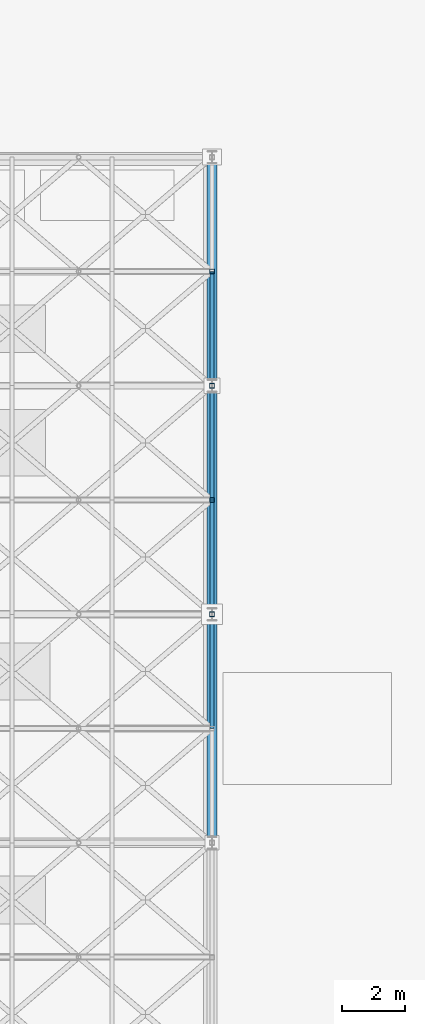
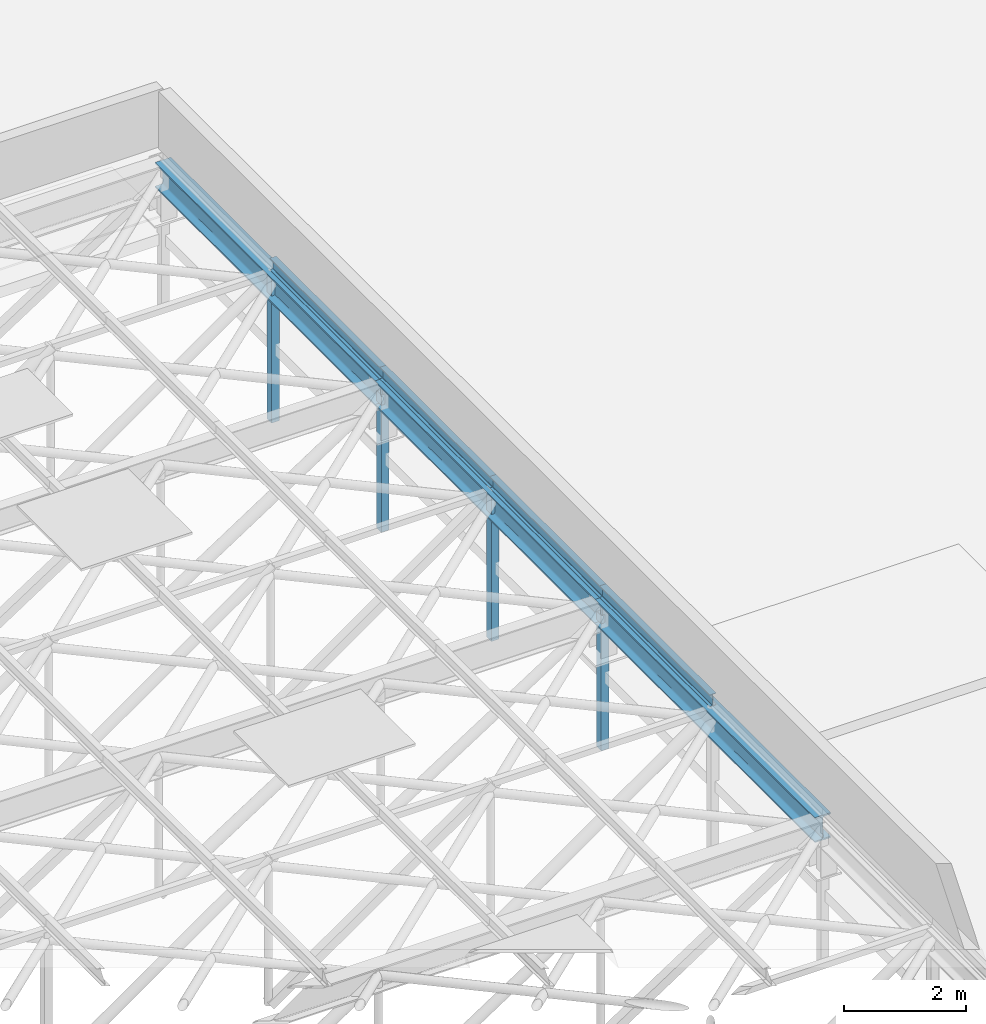
# One storey, part 27 of 45: 8 members, 3 beams.
"""IFC4 building model written with IfcOpenShell, lengths in metres."""

from ifc_helpers import new_model, si_unit, derived_unit, direction, frame, origin, origin_2d, place, context, subcontext, project, spatial, hollow_rectangle, i_section, extrude, material, material_profile, profile_set, type_object, element, save


model = new_model("IFC4")

# Units and contexts
model_context = context("Model", 3, precision=1e-05, world=origin(), true_north=direction((0.0, 1.0)))
body_context = subcontext(model_context, "Body", "Model", "MODEL_VIEW")
ifc_project = project(units=[si_unit("LENGTHUNIT", "METRE"), si_unit("AREAUNIT", "SQUARE_METRE"), si_unit("VOLUMEUNIT", "CUBIC_METRE"), si_unit("PLANEANGLEUNIT", "RADIAN"), si_unit("MASSUNIT", "GRAM", prefix="KILO"), derived_unit("THERMALTRANSMITTANCEUNIT", [(si_unit("MASSUNIT", "GRAM", prefix="KILO"), 1), (si_unit("TIMEUNIT", "SECOND"), -3), (si_unit("THERMODYNAMICTEMPERATUREUNIT", "KELVIN"), -1)])], contexts=[model_context])

# Site, building, storey
site_placement = place(None, origin())
site = spatial("IfcSite", under=ifc_project, at=site_placement, CompositionType="ELEMENT")
building_placement = place(site_placement, origin())
building = spatial("IfcBuilding", under=site, at=building_placement, Name="Veldstrom Oceanarium and Marine Research Institute", CompositionType="ELEMENT")
storey_placement = place(building_placement, frame((0.0, 0.0, 22.199951171875)))
storey = spatial("IfcBuildingStorey", under=building, at=storey_placement, Name="L04", CompositionType="ELEMENT", Elevation=22.199951171875)

# Beams
ifc_material_1 = material(Name="Steel S355JR", Category="steel")
ifc_material_profile_1 = material_profile(ifc_material_1, i_section(OverallWidth=0.300048828125, OverallDepth=0.5, WebThickness=0.014404296875, FlangeThickness=0.028076171875, FilletRadius=0.027099609375, at=origin_2d()), Name="HEB 500")
ifc_profile_set_1 = profile_set([ifc_material_profile_1], Name="Steel S355JR")
beam_type = type_object("IfcBeamType", Name="STR-BM-SB4", PredefinedType="BEAM", material=ifc_profile_set_1)
for number, where, z_axis, x_axis, name in (
    (1, (42.0, 36.0, 0.860107421875), (0.0, 1.0, 0.0), (-1.0, 0.0, 0.0), "Hall Roof Edge Girder 6/F"),
    (2, (42.0, 43.199951171875, 0.860107421875), (0.0, 1.0, 0.0), (-1.0, 0.0, 0.0), "Hall Roof Edge Girder 6/G"),
):
    element("IfcBeam", number, at=place(storey_placement, frame(where, z_axis=z_axis, x_axis=x_axis)), inside=storey, type_object=beam_type, Name=name, PredefinedType="BEAM", context=body_context, shape_type="SweptSolid", body=[
        extrude(i_section(OverallWidth=0.300048828125, OverallDepth=0.5, WebThickness=0.014404296875, FlangeThickness=0.028076171875, FilletRadius=0.027099609375, at=origin_2d()), origin(), (0.0, 0.0, 1.0), 7.199951171875),
    ])
beam_placement = place(storey_placement, frame((42.0, 50.39990234375, 0.860107421875), z_axis=(0.0, 1.0, 0.0), x_axis=(-1.0, 0.0, 0.0)))
element("IfcBeam", 3, at=beam_placement, inside=storey, type_object=beam_type, Name="Hall Roof Edge Girder 6/H", PredefinedType="BEAM", context=body_context, shape_type="SweptSolid", body=[
    extrude(i_section(OverallWidth=0.300048828125, OverallDepth=0.5, WebThickness=0.014404296875, FlangeThickness=0.028076171875, FilletRadius=0.027099609375, at=origin_2d()), origin(), (0.0, 0.0, 1.0), 7.2001953125),
])

# Members
ifc_material_2 = material(Name="Steel S355JR", Category="steel")
ifc_material_profile_2 = material_profile(ifc_material_2, i_section(OverallWidth=0.1201171875, OverallDepth=0.239990234375, WebThickness=0.006103515625, FlangeThickness=0.009765625, FilletRadius=0.014892578125, at=origin_2d()), Name="IPE 240")
ifc_profile_set_2 = profile_set([ifc_material_profile_2], Name="Steel S355JR")
member_type_1 = type_object("IfcMemberType", Name="STR-MEM-PR1", PredefinedType="PURLIN", material=ifc_profile_set_2)
member_1_placement = place(storey_placement, frame((42.0, 39.60009765625, 1.22998046875), z_axis=(0.0, 1.0, 0.0), x_axis=(-1.0, 0.0, 0.0)))
element("IfcMember", 4, at=member_1_placement, inside=storey, type_object=member_type_1, Name="Hall Roof Purlin PR-09-9", PredefinedType="PURLIN", context=body_context, shape_type="SweptSolid", body=[
    extrude(i_section(OverallWidth=0.1201171875, OverallDepth=0.239990234375, WebThickness=0.006103515625, FlangeThickness=0.009765625, FilletRadius=0.014892578125, at=origin_2d()), origin(), (0.0, 0.0, 1.0), 3.599853515625),
])
member_2_placement = place(storey_placement, frame((42.0, 43.199951171875, 1.22998046875), z_axis=(0.0, 1.0, 0.0), x_axis=(-1.0, 0.0, 0.0)))
element("IfcMember", 5, at=member_2_placement, inside=storey, type_object=member_type_1, Name="Hall Roof Purlin PR-10-9", PredefinedType="PURLIN", context=body_context, shape_type="SweptSolid", body=[
    extrude(i_section(OverallWidth=0.1201171875, OverallDepth=0.239990234375, WebThickness=0.006103515625, FlangeThickness=0.009765625, FilletRadius=0.014892578125, at=origin_2d()), origin(), (0.0, 0.0, 1.0), 3.60009765625),
])
member_3_placement = place(storey_placement, frame((42.0, 46.800048828125, 1.22998046875), z_axis=(0.0, 1.0, 0.0), x_axis=(-1.0, 0.0, 0.0)))
element("IfcMember", 6, at=member_3_placement, inside=storey, type_object=member_type_1, Name="Hall Roof Purlin PR-11-9", PredefinedType="PURLIN", context=body_context, shape_type="SweptSolid", body=[
    extrude(i_section(OverallWidth=0.1201171875, OverallDepth=0.239990234375, WebThickness=0.006103515625, FlangeThickness=0.009765625, FilletRadius=0.014892578125, at=origin_2d()), origin(), (0.0, 0.0, 1.0), 3.599853515625),
])
member_4_placement = place(storey_placement, frame((42.0, 50.39990234375, 1.22998046875), z_axis=(0.0, 1.0, 0.0), x_axis=(-1.0, 0.0, 0.0)))
element("IfcMember", 7, at=member_4_placement, inside=storey, type_object=member_type_1, Name="Hall Roof Purlin PR-12-9", PredefinedType="PURLIN", context=body_context, shape_type="SweptSolid", body=[
    extrude(i_section(OverallWidth=0.1201171875, OverallDepth=0.239990234375, WebThickness=0.006103515625, FlangeThickness=0.009765625, FilletRadius=0.014892578125, at=origin_2d()), origin(), (0.0, 0.0, 1.0), 3.60009765625),
])
ifc_material_3 = material(Name="Steel S355JR", Category="steel")
ifc_material_profile_3 = material_profile(ifc_material_3, hollow_rectangle(XDim=0.14990234375, YDim=0.14990234375, WallThickness=0.010009765625, at=origin_2d()), Name="SHS 150x150x10")
ifc_profile_set_3 = profile_set([ifc_material_profile_3], Name="Steel S355JR")
member_type_2 = type_object("IfcMemberType", Name="STR-MEM-PS1", PredefinedType="POST", material=ifc_profile_set_3)
member_5_placement = place(storey_placement, frame((42.0, 43.199951171875, -1.89990234375), z_axis=(0.0, 0.0, 1.0), x_axis=(1.0, 0.0, 0.0)))
element("IfcMember", 8, at=member_5_placement, inside=storey, type_object=member_type_2, Name="Truss Vertical Post RT09-7", PredefinedType="POST", context=body_context, shape_type="SweptSolid", body=[
    extrude(hollow_rectangle(XDim=0.14990234375, YDim=0.14990234375, WallThickness=0.010009765625, at=origin_2d()), origin(), (0.0, 0.0, 1.0), 2.701416015625),
])
member_6_placement = place(storey_placement, frame((42.0, 46.800048828125, -1.89990234375), z_axis=(0.0, 0.0, 1.0), x_axis=(1.0, 0.0, 0.0)))
element("IfcMember", 9, at=member_6_placement, inside=storey, type_object=member_type_2, Name="Truss Vertical Post RT10-7", PredefinedType="POST", context=body_context, shape_type="SweptSolid", body=[
    extrude(hollow_rectangle(XDim=0.14990234375, YDim=0.14990234375, WallThickness=0.010009765625, at=origin_2d()), origin(), (0.0, 0.0, 1.0), 2.949951171875),
])
member_7_placement = place(storey_placement, frame((42.0, 50.39990234375, -1.89990234375), z_axis=(0.0, 0.0, 1.0), x_axis=(1.0, 0.0, 0.0)))
element("IfcMember", 10, at=member_7_placement, inside=storey, type_object=member_type_2, Name="Truss Vertical Post RT11-7", PredefinedType="POST", context=body_context, shape_type="SweptSolid", body=[
    extrude(hollow_rectangle(XDim=0.14990234375, YDim=0.14990234375, WallThickness=0.010009765625, at=origin_2d()), origin(), (0.0, 0.0, 1.0), 2.743408203125),
])
member_8_placement = place(storey_placement, frame((42.0, 54.0, -1.89990234375), z_axis=(0.0, 0.0, 1.0), x_axis=(1.0, 0.0, 0.0)))
element("IfcMember", 11, at=member_8_placement, inside=storey, type_object=member_type_2, Name="Truss Vertical Post RT12-7", PredefinedType="POST", context=body_context, shape_type="SweptSolid", body=[
    extrude(hollow_rectangle(XDim=0.14990234375, YDim=0.14990234375, WallThickness=0.010009765625, at=origin_2d()), origin(), (0.0, 0.0, 1.0), 2.949951171875),
])

save(model, "model.ifc")
